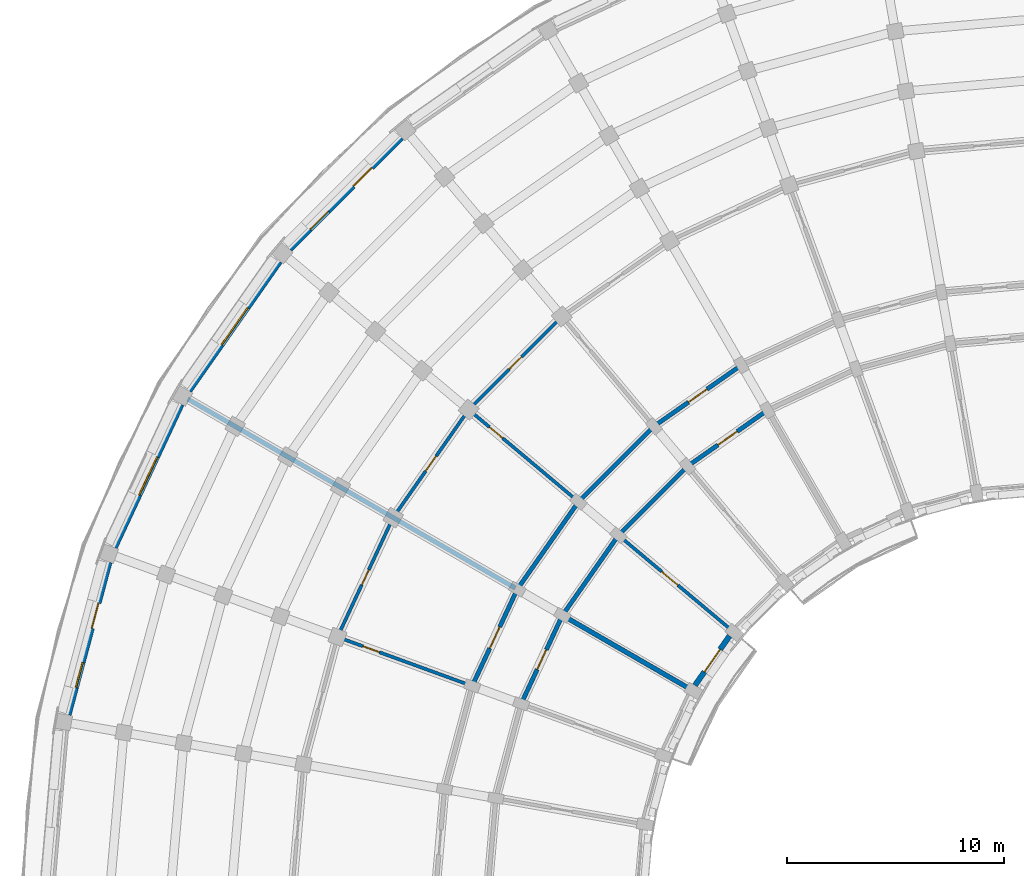
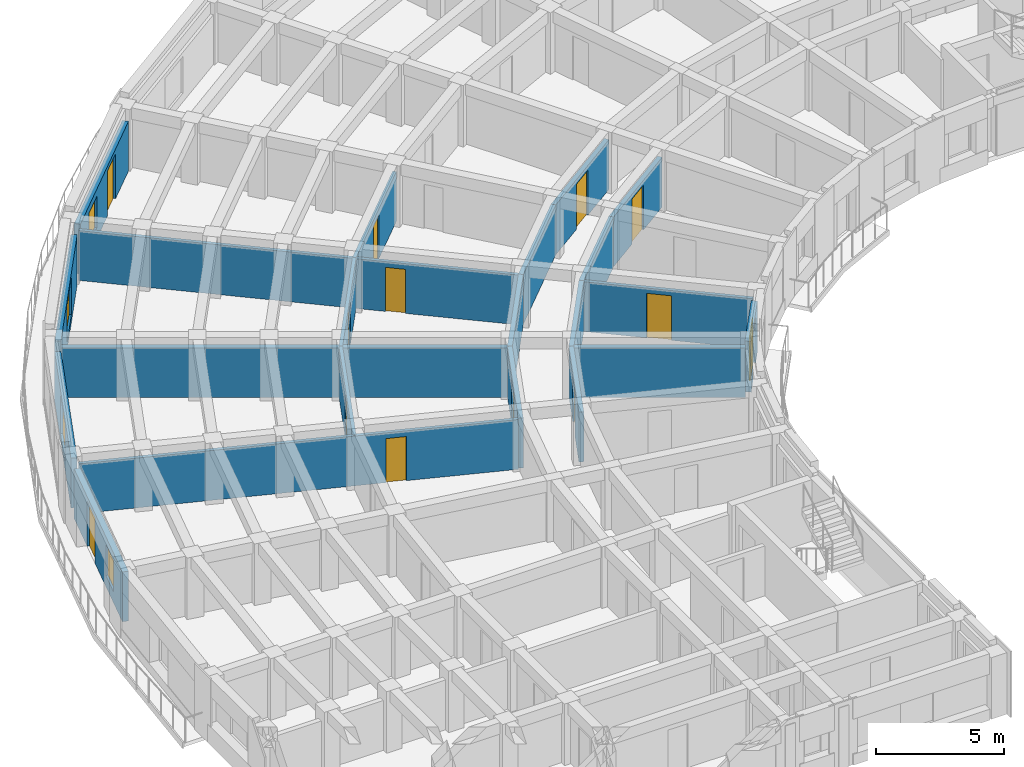
# One storey, part 25 of 57: 21 walls, 13 doors, 4 windows, 17 openings.
"""IFC4 building model written with IfcOpenShell, lengths in metres."""

from ifc_helpers import new_model, si_unit, direction, frame, frame_2d, origin, place, context, subcontext, project, spatial, rectangle, extrude, material, layer, layer_set, type_object, element, fill, save


model = new_model("IFC4")

# Units and contexts
model_context = context("Model", 3, precision=1e-05, world=origin(), true_north=direction((0.0, 1.0)))
body_context = subcontext(model_context, "Body", "Model", "MODEL_VIEW")
ifc_project = project(units=[si_unit("LENGTHUNIT", "METRE"), si_unit("AREAUNIT", "SQUARE_METRE"), si_unit("VOLUMEUNIT", "CUBIC_METRE"), si_unit("PLANEANGLEUNIT", "RADIAN"), si_unit("MASSUNIT", "GRAM", prefix="KILO")], contexts=[model_context])

# Site, building, storey
site_placement = place(None, origin())
site = spatial("IfcSite", under=ifc_project, at=site_placement, CompositionType="ELEMENT")
building_placement = place(site_placement, origin())
building = spatial("IfcBuilding", under=site, at=building_placement, Name="Kiranvali Square Residences", CompositionType="ELEMENT")
storey_placement = place(building_placement, frame((0.0, 0.0, 18.14990234375)))
storey = spatial("IfcBuildingStorey", under=building, at=storey_placement, Name="L05", CompositionType="ELEMENT", Elevation=18.14990234375)

# Wall, opening, door
ifc_material_1 = material(Name="Autoclaved aerated concrete blockwork masonry", Category="masonry")
ifc_layer_1 = layer(ifc_material_1, 0.199951171875)
ifc_layer_set_1 = layer_set([ifc_layer_1], Name="Autoclaved aerated concrete blockwork masonry")
wall_type_1 = type_object("IfcWallType", Name="WL-COR-200", PredefinedType="STANDARD", material=ifc_layer_set_1)
wall_1_placement = place(storey_placement, frame((35.300048828125, 110.1435546875, 0.0), z_axis=(0.0, 0.0, 1.0), x_axis=(-0.819155404658, -0.573571637217, 0.0)))
wall_1 = element("IfcWall", 1, at=wall_1_placement, inside=storey, type_object=wall_type_1, Name="L05 architectural wall WL-L05-A-CCI-3", PredefinedType="STANDARD", context=body_context, shape_type="SweptSolid", body=[
    extrude(rectangle(XDim=4.497314453125, YDim=0.199951171875, at=frame_2d((2.24853515625, 0.0))), origin(), (0.0, 0.0, 1.0), 2.3720703125),
])
opening_1_placement = place(wall_1_placement, frame((1.708740234375, 0.0, 0.0)))
opening_1 = element("IfcOpeningElement", 2, at=opening_1_placement, cuts=wall_1, Name="Opening FD-APT-60C", PredefinedType="OPENING", context=body_context, shape_type="SweptSolid", body=[
    extrude(rectangle(XDim=1.080078125, YDim=2.14990234375, at=frame_2d((0.5400390625, 1.074951171875))), frame((0.0, 0.10986328125, 0.0), z_axis=(0.0, -1.0, 0.0), x_axis=(1.0, 0.0, 0.0)), (0.0, 0.0, 1.0), 0.219970703125),
])
ifc_material_2 = material(Name="Fire-rated acoustic hardwood and mineral-core door assembly", Category="wood")
door_type_1 = type_object("IfcDoorType", Name="DR-APT-1080", OperationType="NOTDEFINED", PredefinedType="DOOR", material=ifc_material_2)
door_1_placement = place(opening_1_placement, origin())
door_1 = element("IfcDoor", 3, at=door_1_placement, inside=storey, type_object=door_type_1, Name="L05 door DR-L05-0383 (DR-APT-1080)", OperationType="SINGLE_SWING_LEFT", OverallHeight=2.14990234375, OverallWidth=1.080078125, PredefinedType="DOOR", context=body_context, shape_type="SweptSolid", body=[
    extrude(rectangle(XDim=1.080078125, YDim=2.14990234375, at=frame_2d((0.5400390625, 1.074951171875))), frame((0.0, 0.02490234375, 0.0), z_axis=(0.0, -1.0, 0.0), x_axis=(1.0, 0.0, 0.0)), (0.0, 0.0, 1.0), 0.050048828125),
])
fill(opening_1, door_1)

wall_2_placement = place(storey_placement, frame((34.10009765625, 112.221923828125, 0.0), z_axis=(0.0, 0.0, 1.0), x_axis=(-0.819140911474, -0.573592335331, 0.0)))
wall_2 = element("IfcWall", 4, at=wall_2_placement, inside=storey, type_object=wall_type_1, Name="L05 architectural wall WL-L05-A-CCO-3", PredefinedType="STANDARD", context=body_context, shape_type="SweptSolid", body=[
    extrude(rectangle(XDim=4.915771484375, YDim=0.199951171875, at=frame_2d((2.4580078125, 0.0))), origin(), (0.0, 0.0, 1.0), 2.3720703125),
])
opening_2_placement = place(wall_2_placement, frame((1.937744140625, 0.0, 0.0)))
opening_2 = element("IfcOpeningElement", 5, at=opening_2_placement, cuts=wall_2, Name="Opening FD-APT-60B", PredefinedType="OPENING", context=body_context, shape_type="SweptSolid", body=[
    extrude(rectangle(XDim=1.0400390625, YDim=2.14990234375, at=frame_2d((0.52001953125, 1.074951171875))), frame((0.0, 0.10986328125, 0.0), z_axis=(0.0, -1.0, 0.0), x_axis=(1.0, 0.0, 0.0)), (0.0, 0.0, 1.0), 0.219970703125),
])
door_type_2 = type_object("IfcDoorType", Name="DR-APT-1040", OperationType="NOTDEFINED", PredefinedType="DOOR", material=ifc_material_2)
door_2_placement = place(opening_2_placement, origin())
door_2 = element("IfcDoor", 6, at=door_2_placement, inside=storey, type_object=door_type_2, Name="L05 door DR-L05-0373 (DR-APT-1040)", OperationType="SINGLE_SWING_LEFT", OverallHeight=2.14990234375, OverallWidth=1.0400390625, PredefinedType="DOOR", context=body_context, shape_type="SweptSolid", body=[
    extrude(rectangle(XDim=1.0400390625, YDim=2.14990234375, at=frame_2d((0.52001953125, 1.074951171875))), frame((0.0, 0.02490234375, 0.0), z_axis=(0.0, -1.0, 0.0), x_axis=(1.0, 0.0, 0.0)), (0.0, 0.0, 1.0), 0.050048828125),
])
fill(opening_2, door_2)

# Walls
wall_3_placement = place(storey_placement, frame((31.615966796875, 107.56396484375, 0.0), z_axis=(0.0, 0.0, 1.0), x_axis=(-0.707106781187, -0.707106781187, 0.0)))
element("IfcWall", 7, at=wall_3_placement, inside=storey, type_object=wall_type_1, Name="L05 architectural wall WL-L05-A-CCI-4", PredefinedType="STANDARD", context=body_context, shape_type="SweptSolid", body=[
    extrude(rectangle(XDim=4.4970703125, YDim=0.199951171875, at=frame_2d((2.24853515625, 0.0))), origin(), (0.0, 0.0, 1.0), 2.3720703125),
])
wall_4_placement = place(storey_placement, frame((30.073486328125, 109.40234375, 0.0), z_axis=(0.0, 0.0, 1.0), x_axis=(-0.707106781187, -0.707106781187, 0.0)))
element("IfcWall", 8, at=wall_4_placement, inside=storey, type_object=wall_type_1, Name="L05 architectural wall WL-L05-A-CCO-4", PredefinedType="STANDARD", context=body_context, shape_type="SweptSolid", body=[
    extrude(rectangle(XDim=4.91552734375, YDim=0.199951171875, at=frame_2d((2.457763671875, 0.0))), origin(), (0.0, 0.0, 1.0), 2.3720703125),
])
wall_5_placement = place(storey_placement, frame((28.43603515625, 104.384033203125, 0.0), z_axis=(0.0, 0.0, 1.0), x_axis=(-0.573571637217, -0.819155404658, 0.0)))
element("IfcWall", 9, at=wall_5_placement, inside=storey, type_object=wall_type_1, Name="L05 architectural wall WL-L05-A-CCI-5", PredefinedType="STANDARD", context=body_context, shape_type="SweptSolid", body=[
    extrude(rectangle(XDim=4.497314453125, YDim=0.199951171875, at=frame_2d((2.24853515625, 0.0))), origin(), (0.0, 0.0, 1.0), 2.3720703125),
])
wall_6_placement = place(storey_placement, frame((26.59765625, 105.926513671875, 0.0), z_axis=(0.0, 0.0, 1.0), x_axis=(-0.573592335331, -0.819140911474, 0.0)))
element("IfcWall", 10, at=wall_6_placement, inside=storey, type_object=wall_type_1, Name="L05 architectural wall WL-L05-A-CCO-5", PredefinedType="STANDARD", context=body_context, shape_type="SweptSolid", body=[
    extrude(rectangle(XDim=4.915771484375, YDim=0.199951171875, at=frame_2d((2.4580078125, 0.0))), origin(), (0.0, 0.0, 1.0), 2.3720703125),
])

# Wall, opening, door
wall_7_placement = place(storey_placement, frame((25.8564453125, 100.699951171875, 0.0), z_axis=(0.0, 0.0, 1.0), x_axis=(-0.422617978463, -0.906307919131, 0.0)))
wall_7 = element("IfcWall", 11, at=wall_7_placement, inside=storey, type_object=wall_type_1, Name="L05 architectural wall WL-L05-A-CCI-6", PredefinedType="STANDARD", context=body_context, shape_type="SweptSolid", body=[
    extrude(rectangle(XDim=4.497314453125, YDim=0.199951171875, at=frame_2d((2.24853515625, 0.0))), origin(), (0.0, 0.0, 1.0), 2.3720703125),
])
opening_3_placement = place(wall_7_placement, frame((1.74853515625, 0.0, 0.0)))
opening_3 = element("IfcOpeningElement", 12, at=opening_3_placement, cuts=wall_7, Name="Opening FD-APT-60", PredefinedType="OPENING", context=body_context, shape_type="SweptSolid", body=[
    extrude(rectangle(XDim=1.0, YDim=2.14990234375, at=frame_2d((0.5, 1.074951171875))), frame((0.0, 0.10986328125, 0.0), z_axis=(0.0, -1.0, 0.0), x_axis=(1.0, 0.0, 0.0)), (0.0, 0.0, 1.0), 0.219970703125),
])
door_type_3 = type_object("IfcDoorType", Name="DR-APT-1000", OperationType="NOTDEFINED", PredefinedType="DOOR", material=ifc_material_2)
door_3_placement = place(opening_3_placement, frame((1.0, 0.0, 0.0), z_axis=(0.0, 0.0, 1.0), x_axis=(-1.0, 0.0, 0.0)))
door_3 = element("IfcDoor", 13, at=door_3_placement, inside=storey, type_object=door_type_3, Name="L05 door DR-L05-0384 (DR-APT-1000)", OperationType="SINGLE_SWING_RIGHT", OverallHeight=2.14990234375, OverallWidth=1.0, PredefinedType="DOOR", context=body_context, shape_type="SweptSolid", body=[
    extrude(rectangle(XDim=1.0, YDim=2.14990234375, at=frame_2d((0.5, 1.074951171875))), frame((0.0, 0.02490234375, 0.0), z_axis=(0.0, -1.0, 0.0), x_axis=(1.0, 0.0, 0.0)), (0.0, 0.0, 1.0), 0.050048828125),
])
fill(opening_3, door_3)

wall_8_placement = place(storey_placement, frame((23.778076171875, 101.89990234375, 0.0), z_axis=(0.0, 0.0, 1.0), x_axis=(-0.422629854778, -0.906302381024, 0.0)))
wall_8 = element("IfcWall", 14, at=wall_8_placement, inside=storey, type_object=wall_type_1, Name="L05 architectural wall WL-L05-A-CCO-6", PredefinedType="STANDARD", context=body_context, shape_type="SweptSolid", body=[
    extrude(rectangle(XDim=4.915283203125, YDim=0.199951171875, at=frame_2d((2.45751953125, 0.0))), origin(), (0.0, 0.0, 1.0), 2.3720703125),
])
opening_4_placement = place(wall_8_placement, frame((1.917724609375, 0.0, 0.0)))
opening_4 = element("IfcOpeningElement", 15, at=opening_4_placement, cuts=wall_8, Name="Opening FD-APT-60C", PredefinedType="OPENING", context=body_context, shape_type="SweptSolid", body=[
    extrude(rectangle(XDim=1.080078125, YDim=2.14990234375, at=frame_2d((0.5400390625, 1.074951171875))), frame((0.0, 0.10986328125, 0.0), z_axis=(0.0, -1.0, 0.0), x_axis=(1.0, 0.0, 0.0)), (0.0, 0.0, 1.0), 0.219970703125),
])
door_4_placement = place(opening_4_placement, origin())
door_4 = element("IfcDoor", 16, at=door_4_placement, inside=storey, type_object=door_type_1, Name="L05 door DR-L05-0377 (DR-APT-1080)", OperationType="SINGLE_SWING_LEFT", OverallHeight=2.14990234375, OverallWidth=1.080078125, PredefinedType="DOOR", context=body_context, shape_type="SweptSolid", body=[
    extrude(rectangle(XDim=1.080078125, YDim=2.14990234375, at=frame_2d((0.5400390625, 1.074951171875))), frame((0.0, 0.02490234375, 0.0), z_axis=(0.0, -1.0, 0.0), x_axis=(1.0, 0.0, 0.0)), (0.0, 0.0, 1.0), 0.050048828125),
])
fill(opening_4, door_4)

# Walls
ifc_layer_2 = layer(ifc_material_1, 0.219970703125)
ifc_layer_set_2 = layer_set([ifc_layer_2], Name="Autoclaved aerated concrete blockwork masonry")
wall_type_2 = type_object("IfcWallType", Name="WL-DEM-220", PredefinedType="STANDARD", material=ifc_layer_set_2)
wall_9_placement = place(storey_placement, frame((31.74560546875, 97.300048828125, 0.0), z_axis=(0.0, 0.0, 1.0), x_axis=(-0.866026575979, 0.499997969693, 0.0)))
element("IfcWall", 17, at=wall_9_placement, inside=storey, type_object=wall_type_2, Name="L05 architectural wall WL-L05-A-RADI-6", PredefinedType="STANDARD", context=body_context, shape_type="SweptSolid", body=[
    extrude(rectangle(XDim=6.75, YDim=0.219970703125, at=frame_2d((3.375, 0.0))), origin(), (0.0, 0.0, 1.0), 2.3720703125),
])
wall_10_placement = place(storey_placement, frame((23.69140625, 101.949951171875, 0.0), z_axis=(0.0, 0.0, 1.0), x_axis=(-0.866026648973, 0.499997843263, 0.0)))
element("IfcWall", 18, at=wall_10_placement, inside=storey, type_object=wall_type_2, Name="L05 architectural wall WL-L05-A-RADO-6", PredefinedType="STANDARD", context=body_context, shape_type="SweptSolid", body=[
    extrude(rectangle(XDim=17.419921875, YDim=0.219970703125, at=frame_2d((8.7099609375, 0.0))), origin(), (0.0, 0.0, 1.0), 2.3720703125),
])

# Wall, openings, door, window
ifc_material_3 = material(Name="Breathable lime-rendered clay brick masonry", Category="masonry")
ifc_layer_3 = layer(ifc_material_3, 0.25)
ifc_layer_set_3 = layer_set([ifc_layer_3], Name="Breathable lime-rendered clay brick masonry")
wall_type_3 = type_object("IfcWallType", Name="WL-EXT-250", PredefinedType="STANDARD", material=ifc_layer_set_3)
wall_11_placement = place(storey_placement, frame((18.454345703125, 122.683837890625, 0.0), z_axis=(0.0, 0.0, 1.0), x_axis=(-0.707106781187, -0.707106781187, 0.0)))
wall_11 = element("IfcWall", 19, at=wall_11_placement, inside=storey, type_object=wall_type_3, Name="L05 exterior wall A-L05-CRV-04", PredefinedType="STANDARD", context=body_context, shape_type="SweptSolid", body=[
    extrude(rectangle(XDim=7.2666015625, YDim=0.25, at=frame_2d((3.63330078125, 0.0))), origin(), (0.0, 0.0, 1.0), 2.3720703125),
])
opening_5_placement = place(wall_11_placement, frame((4.765625, 0.0, 0.52197265625)))
opening_5 = element("IfcOpeningElement", 20, at=opening_5_placement, cuts=wall_11, Name="Opening W-06", PredefinedType="OPENING", context=body_context, shape_type="SweptSolid", body=[
    extrude(rectangle(XDim=1.199951171875, YDim=1.5, at=frame_2d((0.60009765625, 0.75))), frame((0.0, 0.135009765625, 0.0), z_axis=(0.0, -1.0, 0.0), x_axis=(1.0, 0.0, 0.0)), (0.0, 0.0, 1.0), 0.27001953125),
])
opening_6_placement = place(wall_11_placement, frame((1.943359375, 0.0, 0.0)))
opening_6 = element("IfcOpeningElement", 21, at=opening_6_placement, cuts=wall_11, Name="Opening ED-BAL-1", PredefinedType="OPENING", context=body_context, shape_type="SweptSolid", body=[
    extrude(rectangle(XDim=1.199951171875, YDim=2.14990234375, at=frame_2d((0.60009765625, 1.074951171875))), frame((0.0, 0.135009765625, 0.0), z_axis=(0.0, -1.0, 0.0), x_axis=(1.0, 0.0, 0.0)), (0.0, 0.0, 1.0), 0.27001953125),
])
ifc_material_4 = material(Name="Anodised bronze aluminium framing", Category="aluminium")
door_type_4 = type_object("IfcDoorType", Name="DR-BAL-1200", OperationType="NOTDEFINED", PredefinedType="DOOR", material=ifc_material_4)
door_5_placement = place(opening_6_placement, frame((1.199951171875, 0.0, 0.0), z_axis=(0.0, 0.0, 1.0), x_axis=(-1.0, 0.0, 0.0)))
door_5 = element("IfcDoor", 22, at=door_5_placement, inside=storey, type_object=door_type_4, Name="L05 balcony terrace door", OperationType="SINGLE_SWING_LEFT", OverallHeight=2.14990234375, OverallWidth=1.199951171875, PredefinedType="DOOR", context=body_context, shape_type="SweptSolid", body=[
    extrude(rectangle(XDim=1.199951171875, YDim=2.14990234375, at=frame_2d((0.60009765625, 1.074951171875))), frame((0.0, 0.02490234375, 0.0), z_axis=(0.0, -1.0, 0.0), x_axis=(1.0, 0.0, 0.0)), (0.0, 0.0, 1.0), 0.050048828125),
])
fill(opening_6, door_5)
ifc_material_5 = material(Name="Solar-control low-e double glazing", Category="glass")
window_type_1 = type_object("IfcWindowType", Name="WIN-RES-1200x1500", PartitioningType="SINGLE_PANEL", PredefinedType="WINDOW", material=ifc_material_5)
window_1_placement = place(opening_5_placement, origin())
window_1 = element("IfcWindow", 23, at=window_1_placement, inside=storey, type_object=window_type_1, Name="L05 recessed window A-L05-CRV-04", OverallHeight=1.5, OverallWidth=1.199951171875, PartitioningType="SINGLE_PANEL", PredefinedType="WINDOW", context=body_context, shape_type="SweptSolid", body=[
    extrude(rectangle(XDim=1.199951171875, YDim=1.5, at=frame_2d((0.60009765625, 0.75))), frame((0.0, 0.030029296875, 0.0), z_axis=(0.0, -1.0, 0.0), x_axis=(1.0, 0.0, 0.0)), (0.0, 0.0, 1.0), 0.06005859375),
])
fill(opening_5, window_1)

# Wall, opening, window
wall_12_placement = place(storey_placement, frame((12.848876953125, 116.98876953125, 0.0), z_axis=(0.0, 0.0, 1.0), x_axis=(-0.573566061701, -0.819159308599, 0.0)))
wall_12 = element("IfcWall", 24, at=wall_12_placement, inside=storey, type_object=wall_type_3, Name="L05 exterior wall A-L05-CRV-05", PredefinedType="STANDARD", context=body_context, shape_type="SweptSolid", body=[
    extrude(rectangle(XDim=7.266845703125, YDim=0.25, at=frame_2d((3.63330078125, 0.0))), origin(), (0.0, 0.0, 1.0), 2.3720703125),
])
opening_7_placement = place(wall_12_placement, frame((2.583251953125, 0.0, 0.3720703125)))
opening_7 = element("IfcOpeningElement", 25, at=opening_7_placement, cuts=wall_12, Name="Opening W-03", PredefinedType="OPENING", context=body_context, shape_type="SweptSolid", body=[
    extrude(rectangle(XDim=2.10009765625, YDim=1.800048828125, at=frame_2d((1.050048828125, 0.89990234375))), frame((0.0, 0.135009765625, 0.0), z_axis=(0.0, -1.0, 0.0), x_axis=(1.0, 0.0, 0.0)), (0.0, 0.0, 1.0), 0.27001953125),
])
window_type_2 = type_object("IfcWindowType", Name="WIN-RES-2100x1800", PartitioningType="TRIPLE_PANEL_VERTICAL", PredefinedType="WINDOW", material=ifc_material_5)
window_2_placement = place(opening_7_placement, origin())
window_2 = element("IfcWindow", 26, at=window_2_placement, inside=storey, type_object=window_type_2, Name="L05 recessed window A-L05-CRV-05", OverallHeight=1.800048828125, OverallWidth=2.10009765625, PartitioningType="TRIPLE_PANEL_VERTICAL", PredefinedType="WINDOW", context=body_context, shape_type="SweptSolid", body=[
    extrude(rectangle(XDim=2.10009765625, YDim=1.800048828125, at=frame_2d((1.050048828125, 0.89990234375))), frame((0.0, 0.030029296875, 0.0), z_axis=(0.0, -1.0, 0.0), x_axis=(1.0, 0.0, 0.0)), (0.0, 0.0, 1.0), 0.06005859375),
])
fill(opening_7, window_2)

wall_13_placement = place(storey_placement, frame((8.3173828125, 110.406494140625, 0.0), z_axis=(0.0, 0.0, 1.0), x_axis=(-0.422627946127, -0.90630327107, 0.0)))
wall_13 = element("IfcWall", 27, at=wall_13_placement, inside=storey, type_object=wall_type_3, Name="L05 exterior wall A-L05-CRV-06", PredefinedType="STANDARD", context=body_context, shape_type="SweptSolid", body=[
    extrude(rectangle(XDim=7.2666015625, YDim=0.25, at=frame_2d((3.63330078125, 0.0))), origin(), (0.0, 0.0, 1.0), 2.3720703125),
])
opening_8_placement = place(wall_13_placement, frame((2.658447265625, 0.0, 0.322021484375)))
opening_8 = element("IfcOpeningElement", 28, at=opening_8_placement, cuts=wall_13, Name="Opening W-12", PredefinedType="OPENING", context=body_context, shape_type="SweptSolid", body=[
    extrude(rectangle(XDim=1.949951171875, YDim=1.85009765625, at=frame_2d((0.97509765625, 0.925048828125))), frame((0.0, 0.135009765625, 0.0), z_axis=(0.0, -1.0, 0.0), x_axis=(1.0, 0.0, 0.0)), (0.0, 0.0, 1.0), 0.27001953125),
])
window_type_3 = type_object("IfcWindowType", Name="WIN-RES-1950x1850", PartitioningType="DOUBLE_PANEL_VERTICAL", PredefinedType="WINDOW", material=ifc_material_5)
window_3_placement = place(opening_8_placement, origin())
window_3 = element("IfcWindow", 29, at=window_3_placement, inside=storey, type_object=window_type_3, Name="L05 recessed window A-L05-CRV-06", OverallHeight=1.85009765625, OverallWidth=1.949951171875, PartitioningType="DOUBLE_PANEL_VERTICAL", PredefinedType="WINDOW", context=body_context, shape_type="SweptSolid", body=[
    extrude(rectangle(XDim=1.949951171875, YDim=1.85009765625, at=frame_2d((0.97509765625, 0.925048828125))), frame((0.0, 0.030029296875, 0.0), z_axis=(0.0, -1.0, 0.0), x_axis=(1.0, 0.0, 0.0)), (0.0, 0.0, 1.0), 0.06005859375),
])
fill(opening_8, window_3)

# Wall, openings, door, window
wall_14_placement = place(storey_placement, frame((4.99755859375, 103.137451171875, 0.0), z_axis=(0.0, 0.0, 1.0), x_axis=(-0.258802140196, -0.965930355787, 0.0)))
wall_14 = element("IfcWall", 30, at=wall_14_placement, inside=storey, type_object=wall_type_3, Name="L05 exterior wall A-L05-CRV-07", PredefinedType="STANDARD", context=body_context, shape_type="SweptSolid", body=[
    extrude(rectangle(XDim=7.2666015625, YDim=0.25, at=frame_2d((3.63330078125, 0.0))), origin(), (0.0, 0.0, 1.0), 2.3720703125),
])
opening_9_placement = place(wall_14_placement, frame((4.765625, 0.0, 0.52197265625)))
opening_9 = element("IfcOpeningElement", 31, at=opening_9_placement, cuts=wall_14, Name="Opening W-06", PredefinedType="OPENING", context=body_context, shape_type="SweptSolid", body=[
    extrude(rectangle(XDim=1.199951171875, YDim=1.5, at=frame_2d((0.60009765625, 0.75))), frame((0.0, 0.135009765625, 0.0), z_axis=(0.0, -1.0, 0.0), x_axis=(1.0, 0.0, 0.0)), (0.0, 0.0, 1.0), 0.27001953125),
])
opening_10_placement = place(wall_14_placement, frame((1.943359375, 0.0, 0.0)))
opening_10 = element("IfcOpeningElement", 32, at=opening_10_placement, cuts=wall_14, Name="Opening ED-BAL-1", PredefinedType="OPENING", context=body_context, shape_type="SweptSolid", body=[
    extrude(rectangle(XDim=1.199951171875, YDim=2.14990234375, at=frame_2d((0.60009765625, 1.074951171875))), frame((0.0, 0.135009765625, 0.0), z_axis=(0.0, -1.0, 0.0), x_axis=(1.0, 0.0, 0.0)), (0.0, 0.0, 1.0), 0.27001953125),
])
door_6_placement = place(opening_10_placement, frame((1.199951171875, 0.0, 0.0), z_axis=(0.0, 0.0, 1.0), x_axis=(-1.0, 0.0, 0.0)))
door_6 = element("IfcDoor", 33, at=door_6_placement, inside=storey, type_object=door_type_4, Name="L05 balcony terrace door", OperationType="SINGLE_SWING_RIGHT", OverallHeight=2.14990234375, OverallWidth=1.199951171875, PredefinedType="DOOR", context=body_context, shape_type="SweptSolid", body=[
    extrude(rectangle(XDim=1.199951171875, YDim=2.14990234375, at=frame_2d((0.60009765625, 1.074951171875))), frame((0.0, 0.02490234375, 0.0), z_axis=(0.0, -1.0, 0.0), x_axis=(1.0, 0.0, 0.0)), (0.0, 0.0, 1.0), 0.050048828125),
])
fill(opening_10, door_6)
window_4_placement = place(opening_9_placement, origin())
window_4 = element("IfcWindow", 34, at=window_4_placement, inside=storey, type_object=window_type_1, Name="L05 recessed window A-L05-CRV-07", OverallHeight=1.5, OverallWidth=1.199951171875, PartitioningType="SINGLE_PANEL", PredefinedType="WINDOW", context=body_context, shape_type="SweptSolid", body=[
    extrude(rectangle(XDim=1.199951171875, YDim=1.5, at=frame_2d((0.60009765625, 0.75))), frame((0.0, 0.030029296875, 0.0), z_axis=(0.0, -1.0, 0.0), x_axis=(1.0, 0.0, 0.0)), (0.0, 0.0, 1.0), 0.06005859375),
])
fill(opening_9, window_4)

# Wall, opening, door
wall_15_placement = place(storey_placement, frame((33.550537109375, 99.748291015625, 0.0), z_axis=(0.0, 0.0, 1.0), x_axis=(-0.573633885053, -0.819111815273, 0.0)))
wall_15 = element("IfcWall", 35, at=wall_15_placement, inside=storey, type_object=wall_type_3, Name="L05 exterior wall A-L05-GDN-05", PredefinedType="STANDARD", context=body_context, shape_type="SweptSolid", body=[
    extrude(rectangle(XDim=2.769775390625, YDim=0.25, at=frame_2d((1.384765625, 0.0))), origin(), (0.0, 0.0, 1.0), 2.422119140625),
])
opening_11_placement = place(wall_15_placement, frame((0.7548828125, 0.0, 0.0)))
opening_11 = element("IfcOpeningElement", 36, at=opening_11_placement, cuts=wall_15, Name="Opening ED-BAL-2", PredefinedType="OPENING", context=body_context, shape_type="SweptSolid", body=[
    extrude(rectangle(XDim=1.260009765625, YDim=2.14990234375, at=frame_2d((0.6298828125, 1.074951171875))), frame((0.0, 0.135009765625, 0.0), z_axis=(0.0, -1.0, 0.0), x_axis=(1.0, 0.0, 0.0)), (0.0, 0.0, 1.0), 0.27001953125),
])
door_type_5 = type_object("IfcDoorType", Name="DR-BAL-1260", OperationType="NOTDEFINED", PredefinedType="DOOR", material=ifc_material_4)
door_7_placement = place(opening_11_placement, origin())
door_7 = element("IfcDoor", 37, at=door_7_placement, inside=storey, type_object=door_type_5, Name="L05 balcony terrace door", OperationType="SINGLE_SWING_RIGHT", OverallHeight=2.14990234375, OverallWidth=1.260009765625, PredefinedType="DOOR", context=body_context, shape_type="SweptSolid", body=[
    extrude(rectangle(XDim=1.260009765625, YDim=2.14990234375, at=frame_2d((0.6298828125, 1.074951171875))), frame((0.0, 0.02490234375, 0.0), z_axis=(0.0, -1.0, 0.0), x_axis=(1.0, 0.0, 0.0)), (0.0, 0.0, 1.0), 0.050048828125),
])
fill(opening_11, door_7)

ifc_material_6 = material(Name="Acoustic gypsum board drylined partition", Category="gypsum")
ifc_layer_4 = layer(ifc_material_6, 0.14990234375)
ifc_layer_set_4 = layer_set([ifc_layer_4], Name="Acoustic gypsum board drylined partition")
wall_type_4 = type_object("IfcWallType", Name="WL-PRT-150", PredefinedType="PARTITIONING", material=ifc_layer_set_4)
wall_16_placement = place(storey_placement, frame((33.645263671875, 100.012939453125, 0.0), z_axis=(0.0, 0.0, 1.0), x_axis=(-0.766046761698, 0.642784846501, 0.0)))
wall_16 = element("IfcWall", 38, at=wall_16_placement, inside=storey, type_object=wall_type_4, Name="L05 architectural wall WL-L05-A-RADI-5", PredefinedType="PARTITIONING", context=body_context, shape_type="SweptSolid", body=[
    extrude(rectangle(XDim=6.75, YDim=0.14990234375, at=frame_2d((3.375, 0.0))), origin(), (0.0, 0.0, 1.0), 2.3720703125),
])
opening_12_placement = place(wall_16_placement, frame((3.222412109375, 0.0, 0.0)))
opening_12 = element("IfcOpeningElement", 39, at=opening_12_placement, cuts=wall_16, Name="Opening ID-3", PredefinedType="OPENING", context=body_context, shape_type="SweptSolid", body=[
    extrude(rectangle(XDim=0.97998046875, YDim=2.1201171875, at=frame_2d((0.489990234375, 1.06005859375))), frame((0.0, 0.0849609375, 0.0), z_axis=(0.0, -1.0, 0.0), x_axis=(1.0, 0.0, 0.0)), (0.0, 0.0, 1.0), 0.169921875),
])
ifc_material_7 = material(Name="Solid seasoned teak hardwood joinery", Category="wood")
door_type_6 = type_object("IfcDoorType", Name="DR-INT-980", OperationType="NOTDEFINED", PredefinedType="DOOR", material=ifc_material_7)
door_8_placement = place(opening_12_placement, origin())
door_8 = element("IfcDoor", 40, at=door_8_placement, inside=storey, type_object=door_type_6, Name="L05 door DR-L05-0363 (DR-INT-980)", OperationType="SINGLE_SWING_LEFT", OverallHeight=2.1201171875, OverallWidth=0.97998046875, PredefinedType="DOOR", context=body_context, shape_type="SweptSolid", body=[
    extrude(rectangle(XDim=0.97998046875, YDim=2.1201171875, at=frame_2d((0.489990234375, 1.06005859375))), frame((0.0, 0.02490234375, 0.0), z_axis=(0.0, -1.0, 0.0), x_axis=(1.0, 0.0, 0.0)), (0.0, 0.0, 1.0), 0.050048828125),
])
fill(opening_12, door_8)

wall_17_placement = place(storey_placement, frame((26.52099609375, 105.990966796875, 0.0), z_axis=(0.0, 0.0, 1.0), x_axis=(-0.766046835987, 0.642784757967, 0.0)))
wall_17 = element("IfcWall", 41, at=wall_17_placement, inside=storey, type_object=wall_type_4, Name="L05 architectural wall WL-L05-A-RADO-5", PredefinedType="PARTITIONING", context=body_context, shape_type="SweptSolid", body=[
    extrude(rectangle(XDim=17.419921875, YDim=0.14990234375, at=frame_2d((8.7099609375, 0.0))), origin(), (0.0, 0.0, 1.0), 2.3720703125),
])
opening_13_placement = place(wall_17_placement, frame((4.44970703125, 0.0, 0.0)))
opening_13 = element("IfcOpeningElement", 42, at=opening_13_placement, cuts=wall_17, Name="Opening ID-WET", PredefinedType="OPENING", context=body_context, shape_type="SweptSolid", body=[
    extrude(rectangle(XDim=0.800048828125, YDim=2.10009765625, at=frame_2d((0.39990234375, 1.050048828125))), frame((0.0, 0.0849609375, 0.0), z_axis=(0.0, -1.0, 0.0), x_axis=(1.0, 0.0, 0.0)), (0.0, 0.0, 1.0), 0.169921875),
])
door_type_7 = type_object("IfcDoorType", Name="DR-WET-800", OperationType="NOTDEFINED", PredefinedType="DOOR", material=ifc_material_7)
door_9_placement = place(opening_13_placement, frame((0.800048828125, 0.0, 0.0), z_axis=(0.0, 0.0, 1.0), x_axis=(-1.0, 0.0, 0.0)))
door_9 = element("IfcDoor", 43, at=door_9_placement, inside=storey, type_object=door_type_7, Name="L05 door DR-L05-0364 (DR-WET-800)", OperationType="SINGLE_SWING_RIGHT", OverallHeight=2.10009765625, OverallWidth=0.800048828125, PredefinedType="DOOR", context=body_context, shape_type="SweptSolid", body=[
    extrude(rectangle(XDim=0.800048828125, YDim=2.10009765625, at=frame_2d((0.39990234375, 1.050048828125))), frame((0.0, 0.02490234375, 0.0), z_axis=(0.0, -1.0, 0.0), x_axis=(1.0, 0.0, 0.0)), (0.0, 0.0, 1.0), 0.050048828125),
])
fill(opening_13, door_9)

wall_18_placement = place(storey_placement, frame((21.606689453125, 97.479248046875, 0.0), z_axis=(0.0, 0.0, 1.0), x_axis=(-0.939691901159, 0.342022120477, 0.0)))
wall_18 = element("IfcWall", 44, at=wall_18_placement, inside=storey, type_object=wall_type_4, Name="L05 architectural wall WL-L05-A-RADO-7", PredefinedType="PARTITIONING", context=body_context, shape_type="SweptSolid", body=[
    extrude(rectangle(XDim=17.419921875, YDim=0.14990234375, at=frame_2d((8.7099609375, 0.0))), origin(), (0.0, 0.0, 1.0), 2.3720703125),
])
opening_14_placement = place(wall_18_placement, frame((4.44970703125, 0.0, 0.0)))
opening_14 = element("IfcOpeningElement", 45, at=opening_14_placement, cuts=wall_18, Name="Opening ID-WET", PredefinedType="OPENING", context=body_context, shape_type="SweptSolid", body=[
    extrude(rectangle(XDim=0.800048828125, YDim=2.10009765625, at=frame_2d((0.39990234375, 1.050048828125))), frame((0.0, 0.0849609375, 0.0), z_axis=(0.0, -1.0, 0.0), x_axis=(1.0, 0.0, 0.0)), (0.0, 0.0, 1.0), 0.169921875),
])
door_10_placement = place(opening_14_placement, frame((0.800048828125, 0.0, 0.0), z_axis=(0.0, 0.0, 1.0), x_axis=(-1.0, 0.0, 0.0)))
door_10 = element("IfcDoor", 46, at=door_10_placement, inside=storey, type_object=door_type_7, Name="L05 door DR-L05-0366 (DR-WET-800)", OperationType="SINGLE_SWING_RIGHT", OverallHeight=2.10009765625, OverallWidth=0.800048828125, PredefinedType="DOOR", context=body_context, shape_type="SweptSolid", body=[
    extrude(rectangle(XDim=0.800048828125, YDim=2.10009765625, at=frame_2d((0.39990234375, 1.050048828125))), frame((0.0, 0.02490234375, 0.0), z_axis=(0.0, -1.0, 0.0), x_axis=(1.0, 0.0, 0.0)), (0.0, 0.0, 1.0), 0.050048828125),
])
fill(opening_14, door_10)

ifc_layer_5 = layer(ifc_material_1, 0.14990234375)
ifc_layer_set_5 = layer_set([ifc_layer_5], Name="Autoclaved aerated concrete blockwork masonry")
wall_type_5 = type_object("IfcWallType", Name="WL-WET-150", PredefinedType="PLUMBINGWALL", material=ifc_layer_set_5)
wall_19_placement = place(storey_placement, frame((25.8310546875, 114.458251953125, 0.0), z_axis=(0.0, 0.0, 1.0), x_axis=(-0.707106781187, -0.707106781187, 0.0)))
wall_19 = element("IfcWall", 47, at=wall_19_placement, inside=storey, type_object=wall_type_5, Name="L05 architectural wall WL-L05-A-CWET-4", PredefinedType="PLUMBINGWALL", context=body_context, shape_type="SweptSolid", body=[
    extrude(rectangle(XDim=6.06591796875, YDim=0.14990234375, at=frame_2d((3.032958984375, 0.0))), origin(), (0.0, 0.0, 1.0), 2.3720703125),
])
opening_15_placement = place(wall_19_placement, frame((2.633056640625, 0.0, 0.0)))
opening_15 = element("IfcOpeningElement", 48, at=opening_15_placement, cuts=wall_19, Name="Opening ID-WET", PredefinedType="OPENING", context=body_context, shape_type="SweptSolid", body=[
    extrude(rectangle(XDim=0.800048828125, YDim=2.10009765625, at=frame_2d((0.39990234375, 1.050048828125))), frame((0.0, 0.0849609375, 0.0), z_axis=(0.0, -1.0, 0.0), x_axis=(1.0, 0.0, 0.0)), (0.0, 0.0, 1.0), 0.169921875),
])
door_11_placement = place(opening_15_placement, origin())
door_11 = element("IfcDoor", 49, at=door_11_placement, inside=storey, type_object=door_type_7, Name="L05 door DR-L05-0375 (DR-WET-800)", OperationType="SINGLE_SWING_LEFT", OverallHeight=2.10009765625, OverallWidth=0.800048828125, PredefinedType="DOOR", context=body_context, shape_type="SweptSolid", body=[
    extrude(rectangle(XDim=0.800048828125, YDim=2.10009765625, at=frame_2d((0.39990234375, 1.050048828125))), frame((0.0, 0.02490234375, 0.0), z_axis=(0.0, -1.0, 0.0), x_axis=(1.0, 0.0, 0.0)), (0.0, 0.0, 1.0), 0.050048828125),
])
fill(opening_15, door_11)

wall_20_placement = place(storey_placement, frame((21.541748046875, 110.1689453125, 0.0), z_axis=(0.0, 0.0, 1.0), x_axis=(-0.573594691504, -0.81913926159, 0.0)))
wall_20 = element("IfcWall", 50, at=wall_20_placement, inside=storey, type_object=wall_type_5, Name="L05 architectural wall WL-L05-A-CWET-5", PredefinedType="PLUMBINGWALL", context=body_context, shape_type="SweptSolid", body=[
    extrude(rectangle(XDim=6.066162109375, YDim=0.14990234375, at=frame_2d((3.033203125, 0.0))), origin(), (0.0, 0.0, 1.0), 2.3720703125),
])
opening_16_placement = place(wall_20_placement, frame((2.613037109375, 0.0, 0.0)))
opening_16 = element("IfcOpeningElement", 51, at=opening_16_placement, cuts=wall_20, Name="Opening ID-WET2", PredefinedType="OPENING", context=body_context, shape_type="SweptSolid", body=[
    extrude(rectangle(XDim=0.840087890625, YDim=2.10009765625, at=frame_2d((0.419921875, 1.050048828125))), frame((0.0, 0.0849609375, 0.0), z_axis=(0.0, -1.0, 0.0), x_axis=(1.0, 0.0, 0.0)), (0.0, 0.0, 1.0), 0.169921875),
])
door_type_8 = type_object("IfcDoorType", Name="DR-WET-840", OperationType="NOTDEFINED", PredefinedType="DOOR", material=ifc_material_7)
door_12_placement = place(opening_16_placement, frame((0.840087890625, 0.0, 0.0), z_axis=(0.0, 0.0, 1.0), x_axis=(-1.0, 0.0, 0.0)))
door_12 = element("IfcDoor", 52, at=door_12_placement, inside=storey, type_object=door_type_8, Name="L05 door DR-L05-0376 (DR-WET-840)", OperationType="SINGLE_SWING_RIGHT", OverallHeight=2.10009765625, OverallWidth=0.840087890625, PredefinedType="DOOR", context=body_context, shape_type="SweptSolid", body=[
    extrude(rectangle(XDim=0.840087890625, YDim=2.10009765625, at=frame_2d((0.419921875, 1.050048828125))), frame((0.0, 0.02490234375, 0.0), z_axis=(0.0, -1.0, 0.0), x_axis=(1.0, 0.0, 0.0)), (0.0, 0.0, 1.0), 0.050048828125),
])
fill(opening_16, door_12)

wall_21_placement = place(storey_placement, frame((18.062255859375, 105.199951171875, 0.0), z_axis=(0.0, 0.0, 1.0), x_axis=(-0.42260781991, -0.906312656069, 0.0)))
wall_21 = element("IfcWall", 53, at=wall_21_placement, inside=storey, type_object=wall_type_5, Name="L05 architectural wall WL-L05-A-CWET-6", PredefinedType="PLUMBINGWALL", context=body_context, shape_type="SweptSolid", body=[
    extrude(rectangle(XDim=6.06591796875, YDim=0.14990234375, at=frame_2d((3.032958984375, 0.0))), origin(), (0.0, 0.0, 1.0), 2.3720703125),
])
opening_17_placement = place(wall_21_placement, frame((2.653076171875, 0.0, 0.0)))
opening_17 = element("IfcOpeningElement", 54, at=opening_17_placement, cuts=wall_21, Name="Opening ID-WET0", PredefinedType="OPENING", context=body_context, shape_type="SweptSolid", body=[
    extrude(rectangle(XDim=0.760009765625, YDim=2.050048828125, at=frame_2d((0.3798828125, 1.02490234375))), frame((0.0, 0.0849609375, 0.0), z_axis=(0.0, -1.0, 0.0), x_axis=(1.0, 0.0, 0.0)), (0.0, 0.0, 1.0), 0.169921875),
])
door_type_9 = type_object("IfcDoorType", Name="DR-WET-760", OperationType="NOTDEFINED", PredefinedType="DOOR", material=ifc_material_7)
door_13_placement = place(opening_17_placement, frame((0.760009765625, 0.0, 0.0), z_axis=(0.0, 0.0, 1.0), x_axis=(-1.0, 0.0, 0.0)))
door_13 = element("IfcDoor", 55, at=door_13_placement, inside=storey, type_object=door_type_9, Name="L05 door DR-L05-0378 (DR-WET-760)", OperationType="SINGLE_SWING_RIGHT", OverallHeight=2.050048828125, OverallWidth=0.760009765625, PredefinedType="DOOR", context=body_context, shape_type="SweptSolid", body=[
    extrude(rectangle(XDim=0.760009765625, YDim=2.050048828125, at=frame_2d((0.3798828125, 1.02490234375))), frame((0.0, 0.02490234375, 0.0), z_axis=(0.0, -1.0, 0.0), x_axis=(1.0, 0.0, 0.0)), (0.0, 0.0, 1.0), 0.050048828125),
])
fill(opening_17, door_13)

save(model, "model.ifc")
